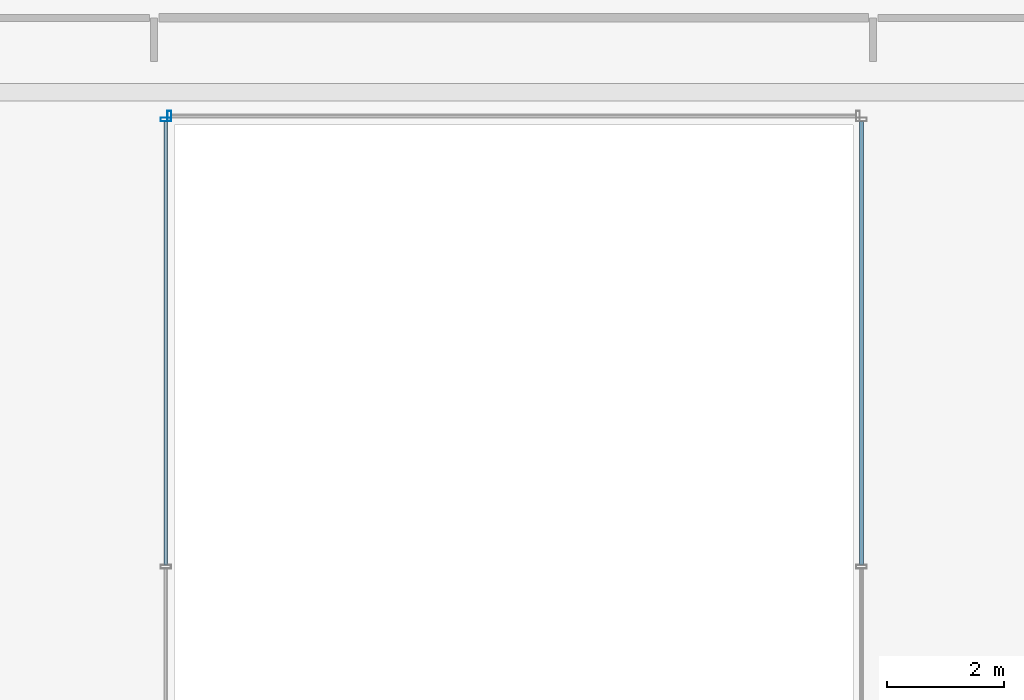
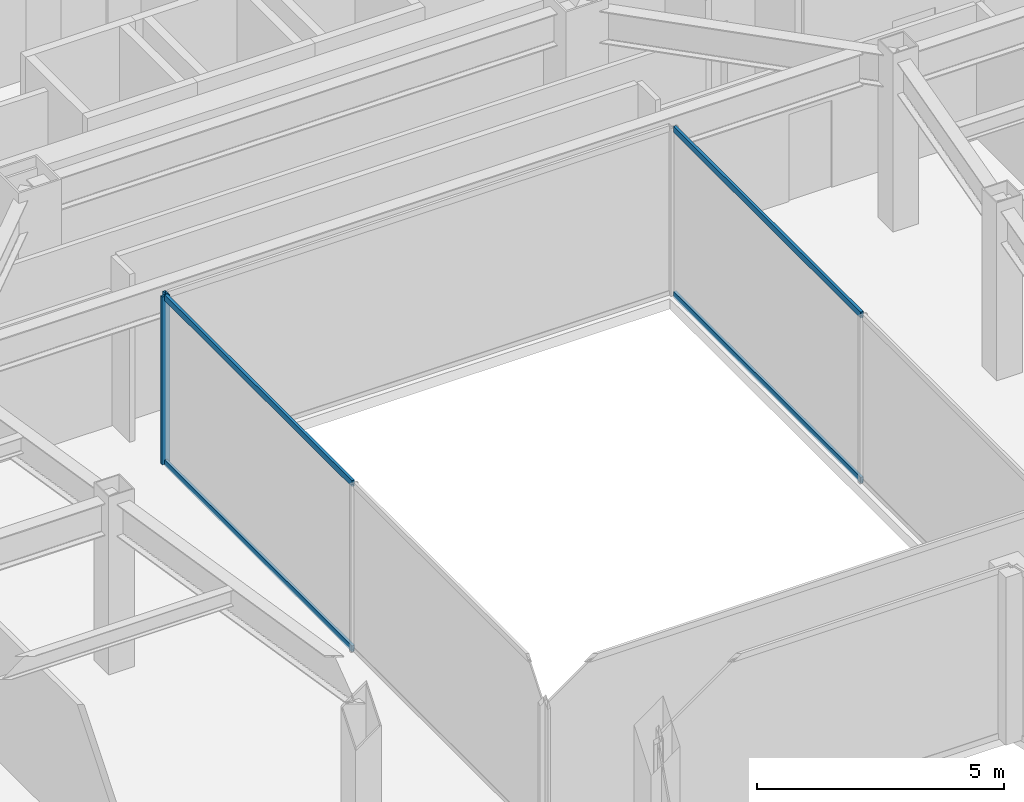
# One storey, part 12 of 37: 6 members, 3 elements without a shape of their own.
"""IFC4 building model written with IfcOpenShell, lengths in metres."""

import ifcopenshell
import ifcopenshell.guid

model = None  # the IFC model being written
_history = None  # IfcOwnerHistory: only IFC2X3 demands one
_inside = {}  # id of a spatial element -> (the spatial element, [elements in it])
_under = {}  # id of a project, library or spatial element -> (it, [spatial elements below it])
_declared = {}  # id of a project -> (the project, [libraries it declares])
_typed = {}  # id of a type object -> (the type object, [elements of that type])
_made_of = {}  # id of a material, layer set ... -> (it, [elements and type objects made of it])


def new_model(schema):
    """Start an empty IFC model of exactly this schema.

    Asked for "IFC4X3", IfcOpenShell would pick the latest addendum, in which some entities
    have other attributes; the version numbers below select the first issue.
    IFC2X3 requires an IfcOwnerHistory on every rooted entity: one is made here for all.
    """
    global model, _history
    if schema == "IFC4X3":
        model = ifcopenshell.file(schema_version=(4, 3, 0, 0))
    else:
        model = ifcopenshell.file(schema=schema)
    _inside.clear()
    _under.clear()
    _declared.clear()
    _typed.clear()
    _made_of.clear()
    _history = None
    if model.schema == "IFC2X3":
        org = make("IfcOrganization", Name="unknown")
        user = make(
            "IfcPersonAndOrganization",
            ThePerson=make("IfcPerson", FamilyName="unknown"),
            TheOrganization=org,
        )
        app = make(
            "IfcApplication",
            ApplicationDeveloper=org,
            Version="unknown",
            ApplicationFullName="unknown",
            ApplicationIdentifier="unknown",
        )
        _history = make(
            "IfcOwnerHistory",
            OwningUser=user,
            OwningApplication=app,
            ChangeAction="ADDED",
            CreationDate=0,
        )
    return model


def make(cls, **values):
    """One entity of the class cls with the attributes given. An attribute that is None is left unset."""
    return model.create_entity(
        cls, **{name: value for name, value in values.items() if value is not None}
    )


def rooted(cls, **values):
    """An entity with a GlobalId (a new one), such as an element, a storey or a relation."""
    return make(cls, GlobalId=ifcopenshell.guid.new(), OwnerHistory=_history, **values)


def si_unit(unit_type, name, prefix=None):
    """IfcSIUnit, for example si_unit("LENGTHUNIT", "METRE", prefix="MILLI")."""
    return make("IfcSIUnit", UnitType=unit_type, Prefix=prefix, Name=name)


def assignment(units):
    """IfcUnitAssignment: the units of a project."""
    return None if units is None else make("IfcUnitAssignment", Units=units)


def point(xyz):
    """IfcCartesianPoint."""
    return None if xyz is None else make("IfcCartesianPoint", Coordinates=xyz)


def direction(xyz):
    """IfcDirection."""
    return None if xyz is None else make("IfcDirection", DirectionRatios=xyz)


def frame(location, z_axis=None, x_axis=None):
    """IfcAxis2Placement3D, a coordinate frame: its origin and axes. An axis left out is left unset."""
    return make(
        "IfcAxis2Placement3D",
        Location=point(location),
        Axis=direction(z_axis),
        RefDirection=direction(x_axis),
    )


def frame_2d(location, x_axis=None):
    """IfcAxis2Placement2D, a coordinate frame in the plane: its origin and x axis."""
    return make(
        "IfcAxis2Placement2D", Location=point(location), RefDirection=direction(x_axis)
    )


def origin():
    """The frame at (0, 0, 0) with its axes left unset."""
    return frame((0.0, 0.0, 0.0))


def origin_2d():
    """The frame at (0, 0) in the plane with its x axis left unset."""
    return frame_2d((0.0, 0.0))


def place(relative_to, where):
    """IfcLocalPlacement: puts the frame where relative to a parent placement (None: the world)."""
    return make(
        "IfcLocalPlacement", PlacementRelTo=relative_to, RelativePlacement=where
    )


def context(
    kind, dimensions, precision=None, world=None, true_north=None, identifier=None
):
    """IfcGeometricRepresentationContext, for example the 3D "Model" context."""
    return make(
        "IfcGeometricRepresentationContext",
        ContextIdentifier=identifier,
        ContextType=kind,
        CoordinateSpaceDimension=dimensions,
        Precision=precision,
        WorldCoordinateSystem=world,
        TrueNorth=true_north,
    )


def subcontext(parent, identifier, kind, view, scale=None):
    """IfcGeometricRepresentationSubContext, for example "Body" below "Model"."""
    return make(
        "IfcGeometricRepresentationSubContext",
        ContextIdentifier=identifier,
        ContextType=kind,
        ParentContext=parent,
        TargetScale=scale,
        TargetView=view,
    )


def project(units=None, contexts=None):
    """IfcProject with its units and contexts."""
    return rooted(
        "IfcProject",
        Name="project",
        RepresentationContexts=contexts,
        UnitsInContext=assignment(units),
    )


def spatial(cls, under=None, at=None, **own):
    """A site, building, storey or space (cls), placed at a placement, below another one or the project."""
    s = rooted(cls, ObjectPlacement=at, **own)
    if under is not None:
        _under.setdefault(under.id(), (under, []))[1].append(s)
    return s


def profile(cls, at=None, kind="AREA", **sizes):
    """A parametric profile (cls). Its sizes go by their IFC names, for example OverallWidth=200.0."""
    return make(cls, ProfileType=kind, Position=at, **sizes)


def hollow_rectangle(**sizes):
    """IfcRectangleHollowProfileDef."""
    return profile("IfcRectangleHollowProfileDef", **sizes)


def extrude(swept, where, along, depth):
    """IfcExtrudedAreaSolid: the profile swept, set in the frame where, extruded along a direction by depth."""
    return make(
        "IfcExtrudedAreaSolid",
        SweptArea=swept,
        Position=where,
        ExtrudedDirection=direction(along),
        Depth=depth,
    )


def shape(context_of_items, identifier, shape_type, items):
    """IfcShapeRepresentation: the items that make up one representation, for example the "Body"."""
    return make(
        "IfcShapeRepresentation",
        ContextOfItems=context_of_items,
        RepresentationIdentifier=identifier,
        RepresentationType=shape_type,
        Items=items,
    )


def material(Name=None, Category=None):
    """IfcMaterial."""
    return make("IfcMaterial", Name=Name, Category=Category)


def material_profile(
    of_material, cross_section, Name=None, Category=None, Priority=None
):
    """IfcMaterialProfile: a cross section and its material."""
    return make(
        "IfcMaterialProfile",
        Name=Name,
        Material=of_material,
        Profile=cross_section,
        Priority=Priority,
        Category=Category,
    )


def profile_set(profiles, Name=None, composite=None):
    """IfcMaterialProfileSet."""
    return make(
        "IfcMaterialProfileSet",
        Name=Name,
        MaterialProfiles=profiles,
        CompositeProfile=composite,
    )


def made_of(thing, what):
    """Note that an element or type object is made of a material, layer set ...; save() writes the relation."""
    if what is not None:
        _made_of.setdefault(what.id(), (what, []))[1].append(thing)
    return thing


def type_object(cls, material=None, **own):
    """A type object (cls), such as IfcWallType, which elements share."""
    return made_of(rooted(cls, **own), material)


def element(
    cls,
    number,
    at=None,
    inside=None,
    cuts=None,
    type_object=None,
    material=None,
    context=None,
    identifier="Body",
    shape_type=None,
    held_by="IfcProductDefinitionShape",
    body=None,
    shapes=None,
    **own,
):
    """One element of the class cls, such as IfcWall. Its Tag is "e" and its number.

    at: its placement. inside: the storey or other place that contains it. cuts: it is an
    opening in that element (IfcRelVoidsElement). A single representation is given by context,
    identifier, shape_type and body (its items); several are given by shapes. held_by: the class
    of the entity that holds the representations. save() writes the other relations.
    """
    e = rooted(cls, Tag="e%d" % number, ObjectPlacement=at, **own)
    if body is not None:
        shapes = [shape(context, identifier, shape_type, body)]
    if shapes is not None:
        e.Representation = make(held_by, Representations=shapes)
    if inside is not None:
        _inside.setdefault(inside.id(), (inside, []))[1].append(e)
    if cuts is not None:
        rooted(
            "IfcRelVoidsElement", RelatingBuildingElement=cuts, RelatedOpeningElement=e
        )
    if type_object is not None:
        _typed.setdefault(type_object.id(), (type_object, []))[1].append(e)
    return made_of(e, material)


def aggregate(whole, parts):
    """IfcRelAggregates: a whole, such as a stair, and the parts it consists of."""
    return rooted("IfcRelAggregates", RelatingObject=whole, RelatedObjects=parts)


def save(model, path):
    """Write the relations noted so far, then the file.

    IfcRelAggregates (storeys below a building ...), IfcRelContainedInSpatialStructure (elements
    in a storey), IfcRelDefinesByType, IfcRelAssociatesMaterial and IfcRelDeclares: one each for
    every whole, place, type object, material and project.
    """
    for whole, parts in _under.values():
        aggregate(whole, parts)
    for where, things in _inside.values():
        rooted(
            "IfcRelContainedInSpatialStructure",
            RelatedElements=things,
            RelatingStructure=where,
        )
    for kind, things in _typed.values():
        rooted("IfcRelDefinesByType", RelatedObjects=things, RelatingType=kind)
    for what, things in _made_of.values():
        rooted("IfcRelAssociatesMaterial", RelatedObjects=things, RelatingMaterial=what)
    for by, libraries in _declared.values():
        rooted("IfcRelDeclares", RelatingContext=by, RelatedDefinitions=libraries)
    model.write(path)


model = new_model("IFC4")

# Units and contexts
model_context = context("Model", 3, precision=1e-05, world=origin(), true_north=direction((0.0, 1.0)))
body_context = subcontext(model_context, "Body", "Model", "MODEL_VIEW")
ifc_project = project(units=[si_unit("LENGTHUNIT", "METRE"), si_unit("AREAUNIT", "SQUARE_METRE"), si_unit("VOLUMEUNIT", "CUBIC_METRE"), si_unit("PLANEANGLEUNIT", "RADIAN"), si_unit("MASSUNIT", "GRAM", prefix="KILO")], contexts=[model_context])

# Site, building, storey
site_placement = place(None, origin())
site = spatial("IfcSite", under=ifc_project, at=site_placement, CompositionType="ELEMENT")
building_placement = place(site_placement, origin())
building = spatial("IfcBuilding", under=site, at=building_placement, Name="Saevonmaru Cultural Tower", CompositionType="ELEMENT")
storey_placement = place(building_placement, frame((0.0, 0.0, 106.0)))
storey = spatial("IfcBuildingStorey", under=building, at=storey_placement, Name="L22", CompositionType="ELEMENT", Elevation=106.0)

# Curtain wall, member
ifc_material = material(Name="Satin Bronze Anodised Aluminium", Category="aluminium")
curtain_wall_type = type_object("IfcCurtainWallType", Name="CW-ATR-GLZ", PredefinedType="NOTDEFINED", material=ifc_material)
curtain_wall_1_placement = place(storey_placement, origin())
curtain_wall_1 = element("IfcCurtainWall", 1, at=curtain_wall_1_placement, inside=storey, type_object=curtain_wall_type, Name="L22 Vertical Atrium Glazed Smoke Screen 3", PredefinedType="NOTDEFINED")
ifc_material_profile_1 = material_profile(ifc_material, hollow_rectangle(XDim=0.06494140625, YDim=0.179931640625, WallThickness=0.00390625, at=origin_2d()), Name="ALU-MULL-180x65x4")
ifc_profile_set_1 = profile_set([ifc_material_profile_1], Name="Satin Bronze Anodised Aluminium")
member_type_1 = type_object("IfcMemberType", Name="ML-CW-INT-180x65", PredefinedType="MULLION", material=ifc_profile_set_1)
member_1_placement = place(storey_placement, frame((24.110107421875, 37.669921875, 0.0), z_axis=(0.0, 0.0, 1.0), x_axis=(-1.0, 0.0, 0.0)))
member_1 = element("IfcMember", 2, at=member_1_placement, type_object=member_type_1, Name="CW-ATR-L22-3 mullion 2", PredefinedType="MULLION", context=body_context, shape_type="SweptSolid", body=[
    extrude(hollow_rectangle(XDim=0.06494140625, YDim=0.179931640625, WallThickness=0.00390625, at=origin_2d()), origin(), (0.0, 0.0, 1.0), 4.14990234375),
])
aggregate(curtain_wall_1, [member_1])

curtain_wall_2_placement = place(storey_placement, origin())
curtain_wall_2 = element("IfcCurtainWall", 3, at=curtain_wall_2_placement, inside=storey, type_object=curtain_wall_type, Name="L22 Vertical Atrium Glazed Smoke Screen 4", PredefinedType="NOTDEFINED")
member_2_placement = place(storey_placement, frame((24.050048828125, 37.610107421875, 0.0), z_axis=(0.0, 0.0, 1.0), x_axis=(0.0, -1.0, 0.0)))
member_2 = element("IfcMember", 4, at=member_2_placement, type_object=member_type_1, Name="CW-ATR-L22-4 mullion 1", PredefinedType="MULLION", context=body_context, shape_type="SweptSolid", body=[
    extrude(hollow_rectangle(XDim=0.06494140625, YDim=0.179931640625, WallThickness=0.00390625, at=origin_2d()), origin(), (0.0, 0.0, 1.0), 4.14990234375),
])

# Curtain wall, members
curtain_wall_3_placement = place(storey_placement, origin())
curtain_wall_3 = element("IfcCurtainWall", 5, at=curtain_wall_3_placement, inside=storey, type_object=curtain_wall_type, Name="L22 Vertical Atrium Glazed Smoke Screen 2", PredefinedType="NOTDEFINED")
ifc_material_profile_2 = material_profile(ifc_material, hollow_rectangle(XDim=0.06494140625, YDim=0.14990234375, WallThickness=0.00390625, at=origin_2d()), Name="ALU-TRAN-150x65x4")
ifc_profile_set_2 = profile_set([ifc_material_profile_2], Name="Satin Bronze Anodised Aluminium")
member_type_2 = type_object("IfcMemberType", Name="TR-CW-INT-150x65", PredefinedType="USERDEFINED", material=ifc_profile_set_2)
member_3_placement = place(storey_placement, frame((35.949951171875, 29.992431640625, 0.032470703125), z_axis=(0.0, 1.0, 0.0), x_axis=(-1.0, 0.0, 0.0)))
member_3 = element("IfcMember", 6, at=member_3_placement, type_object=member_type_2, Name="CW-ATR-L22-2 transom 2.1", ObjectType="TRANSOM", PredefinedType="USERDEFINED", context=body_context, shape_type="SweptSolid", body=[
    extrude(hollow_rectangle(XDim=0.06494140625, YDim=0.14990234375, WallThickness=0.00390625, at=origin_2d()), origin(), (0.0, 0.0, 1.0), 7.5849609375),
])
member_4_placement = place(storey_placement, frame((35.949951171875, 29.992431640625, 4.117431640625), z_axis=(0.0, 1.0, 0.0), x_axis=(-1.0, 0.0, 0.0)))
member_4 = element("IfcMember", 7, at=member_4_placement, type_object=member_type_2, Name="CW-ATR-L22-2 transom 2.2", ObjectType="TRANSOM", PredefinedType="USERDEFINED", context=body_context, shape_type="SweptSolid", body=[
    extrude(hollow_rectangle(XDim=0.06494140625, YDim=0.14990234375, WallThickness=0.00390625, at=origin_2d()), origin(), (0.0, 0.0, 1.0), 7.5849609375),
])
aggregate(curtain_wall_3, [member_3, member_4])

# Member
member_5_placement = place(storey_placement, frame((24.050048828125, 37.577392578125, 0.032470703125), z_axis=(0.0, -1.0, 0.0), x_axis=(1.0, 0.0, 0.0)))
member_5 = element("IfcMember", 8, at=member_5_placement, type_object=member_type_2, Name="CW-ATR-L22-4 transom 1.1", ObjectType="TRANSOM", PredefinedType="USERDEFINED", context=body_context, shape_type="SweptSolid", body=[
    extrude(hollow_rectangle(XDim=0.06494140625, YDim=0.14990234375, WallThickness=0.00390625, at=origin_2d()), origin(), (0.0, 0.0, 1.0), 7.5849609375),
])

member_6_placement = place(storey_placement, frame((24.050048828125, 37.577392578125, 4.117431640625), z_axis=(0.0, -1.0, 0.0), x_axis=(1.0, 0.0, 0.0)))
member_6 = element("IfcMember", 9, at=member_6_placement, type_object=member_type_2, Name="CW-ATR-L22-4 transom 1.2", ObjectType="TRANSOM", PredefinedType="USERDEFINED", context=body_context, shape_type="SweptSolid", body=[
    extrude(hollow_rectangle(XDim=0.06494140625, YDim=0.14990234375, WallThickness=0.00390625, at=origin_2d()), origin(), (0.0, 0.0, 1.0), 7.5849609375),
])

aggregate(curtain_wall_2, [member_2, member_5, member_6])

save(model, "model.ifc")
